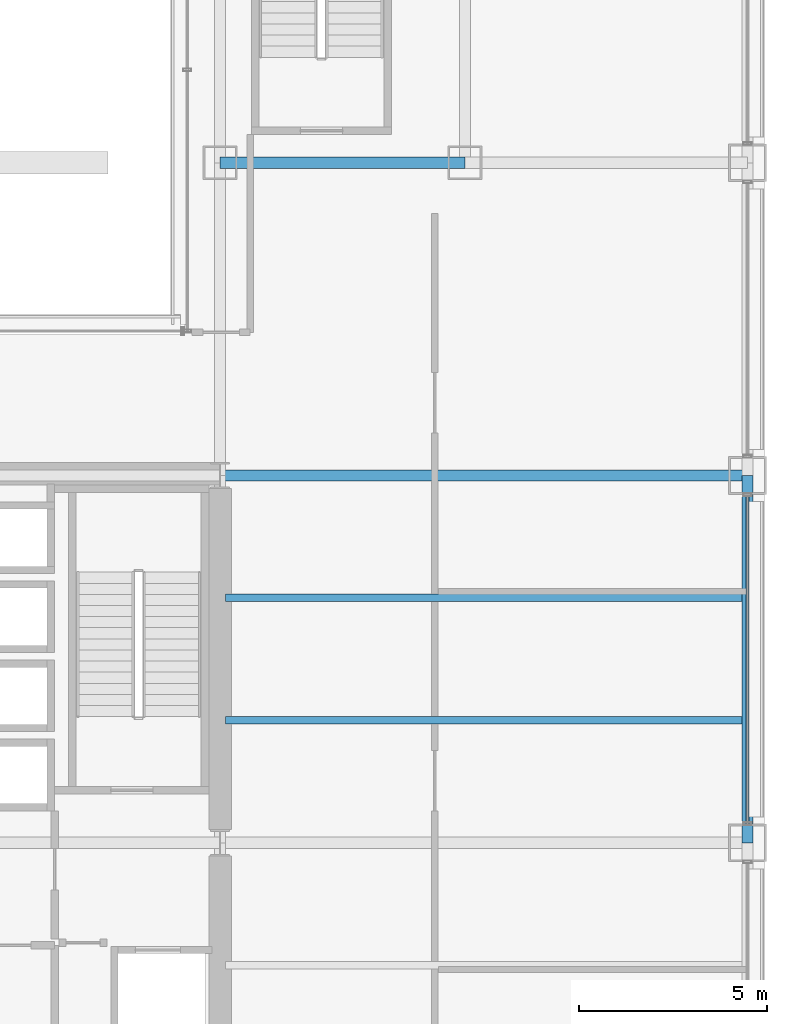
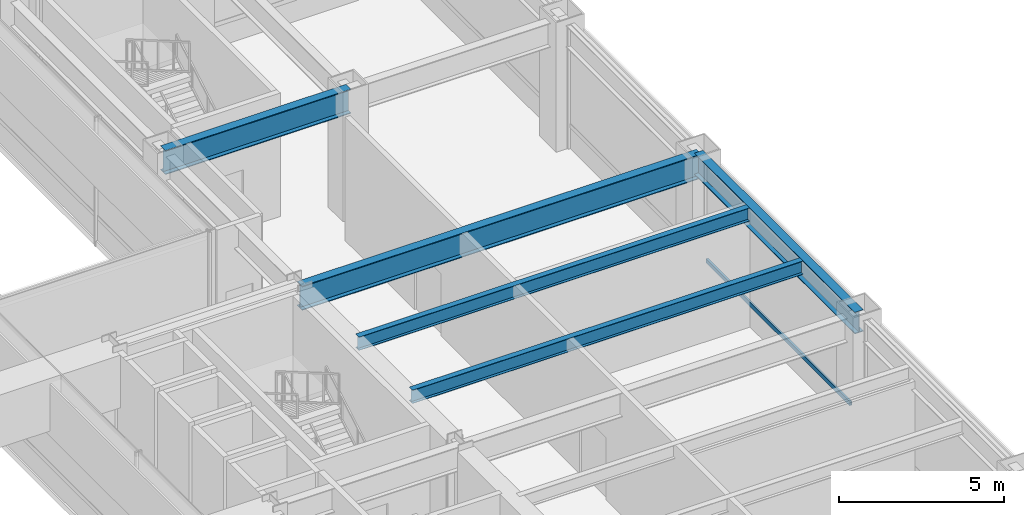
# One storey, part 24 of 42: 5 beams, 1 member, 1 element without a shape of its own.
"""IFC4 building model written with IfcOpenShell, lengths in metres."""

from ifc_helpers import new_model, si_unit, direction, frame, origin, origin_2d, place, context, subcontext, project, spatial, hollow_rectangle, i_section, extrude, material, layer, layer_set, material_profile, profile_set, type_object, element, aggregate, save


model = new_model("IFC4")

# Units and contexts
model_context = context("Model", 3, precision=1e-05, world=origin(), true_north=direction((0.0, 1.0)))
body_context = subcontext(model_context, "Body", "Model", "MODEL_VIEW")
ifc_project = project(units=[si_unit("LENGTHUNIT", "METRE"), si_unit("AREAUNIT", "SQUARE_METRE"), si_unit("VOLUMEUNIT", "CUBIC_METRE"), si_unit("PLANEANGLEUNIT", "RADIAN"), si_unit("MASSUNIT", "GRAM", prefix="KILO")], contexts=[model_context])

# Site, building, storey
site_placement = place(None, origin())
site = spatial("IfcSite", under=ifc_project, at=site_placement, CompositionType="ELEMENT")
building_placement = place(site_placement, origin())
building = spatial("IfcBuilding", under=site, at=building_placement, Name="Brelmoor Portico Tower", CompositionType="ELEMENT")
storey_placement = place(building_placement, frame((0.0, 0.0, 9.60009765625)))
storey = spatial("IfcBuildingStorey", under=building, at=storey_placement, Name="L02", CompositionType="ELEMENT", Elevation=9.60009765625)

# Beams
ifc_material_1 = material(Name="Steel Q355B", Category="steel")
ifc_material_profile_1 = material_profile(ifc_material_1, i_section(OverallWidth=0.199951171875, OverallDepth=0.5, WebThickness=0.010009765625, FlangeThickness=0.01611328125, at=origin_2d()), Name="HN 500x200x10x16")
ifc_profile_set_1 = profile_set([ifc_material_profile_1], Name="Steel Q355B")
beam_type_1 = type_object("IfcBeamType", Name="BM-JS-500", PredefinedType="JOIST", material=ifc_profile_set_1)
for number, where, z_axis, x_axis, name in (
    (1, (14.699951171875, 3.25, 4.329833984375), (1.0, 0.0, 0.0), (0.0, 1.0, 0.0), "L02 Secondary Wing Joist JS-E07"),
    (2, (14.699951171875, 6.5, 4.329833984375), (1.0, 0.0, 0.0), (0.0, 1.0, 0.0), "L02 Secondary Wing Joist JS-E08"),
):
    element("IfcBeam", number, at=place(storey_placement, frame(where, z_axis=z_axis, x_axis=x_axis)), inside=storey, type_object=beam_type_1, Name=name, PredefinedType="JOIST", context=body_context, shape_type="SweptSolid", body=[
        extrude(i_section(OverallWidth=0.199951171875, OverallDepth=0.5, WebThickness=0.010009765625, FlangeThickness=0.01611328125, at=origin_2d()), origin(), (0.0, 0.0, 1.0), 13.699951171875),
    ])
ifc_material_profile_2 = material_profile(ifc_material_1, i_section(OverallWidth=0.300048828125, OverallDepth=0.89990234375, WebThickness=0.01611328125, FlangeThickness=0.028076171875, at=origin_2d()), Name="HN 900x300x16x28")
ifc_profile_set_2 = profile_set([ifc_material_profile_2], Name="Steel Q355B")
beam_type_2 = type_object("IfcBeamType", Name="BM-PG-900", PredefinedType="BEAM", material=ifc_profile_set_2)
beam_1_placement = place(storey_placement, frame((14.550048828125, 9.75, 4.1298828125), z_axis=(1.0, 0.0, 0.0), x_axis=(0.0, 1.0, 0.0)))
element("IfcBeam", 3, at=beam_1_placement, inside=storey, type_object=beam_type_2, Name="L02 Primary Floor Girder PG-39", PredefinedType="BEAM", context=body_context, shape_type="SweptSolid", body=[
    extrude(i_section(OverallWidth=0.300048828125, OverallDepth=0.89990234375, WebThickness=0.01611328125, FlangeThickness=0.028076171875, at=origin_2d()), origin(), (0.0, 0.0, 1.0), 14.0),
])
beam_2_placement = place(storey_placement, frame((14.550048828125, 18.050048828125, 4.1298828125), z_axis=(1.0, 0.0, 0.0), x_axis=(0.0, 1.0, 0.0)))
element("IfcBeam", 4, at=beam_2_placement, inside=storey, type_object=beam_type_2, Name="L02 Primary Floor Girder PG-42", PredefinedType="BEAM", context=body_context, shape_type="SweptSolid", body=[
    extrude(i_section(OverallWidth=0.300048828125, OverallDepth=0.89990234375, WebThickness=0.01611328125, FlangeThickness=0.028076171875, at=origin_2d()), origin(), (0.0, 0.0, 1.0), 6.5),
])
ifc_material_profile_3 = material_profile(ifc_material_1, i_section(OverallWidth=0.300048828125, OverallDepth=0.800048828125, WebThickness=0.013916015625, FlangeThickness=0.02587890625, at=origin_2d()), Name="HN 800x300x14x26")
ifc_profile_set_3 = profile_set([ifc_material_profile_3], Name="Steel Q355B")
beam_type_3 = type_object("IfcBeamType", Name="BM-SP-800", PredefinedType="SPANDREL", material=ifc_profile_set_3)
beam_3_placement = place(storey_placement, frame((28.550048828125, 0.0, 4.179931640625), z_axis=(0.0, 1.0, 0.0), x_axis=(-1.0, 0.0, 0.0)))
element("IfcBeam", 5, at=beam_3_placement, inside=storey, type_object=beam_type_3, Name="L02 Perimeter Spandrel Beam SP-18", PredefinedType="SPANDREL", context=body_context, shape_type="SweptSolid", body=[
    extrude(i_section(OverallWidth=0.300048828125, OverallDepth=0.800048828125, WebThickness=0.013916015625, FlangeThickness=0.02587890625, at=origin_2d()), origin(), (0.0, 0.0, 1.0), 9.75),
])

# Curtain wall, member
ifc_material_2 = material(Name="Anodised Aluminium Alloy 6063-T6", Category="aluminium")
ifc_layer = layer(ifc_material_2, 0.179931640625)
ifc_layer_set = layer_set([ifc_layer], Name="Anodised Aluminium Alloy 6063-T6")
curtain_wall_type = type_object("IfcCurtainWallType", Name="CW-PODIUM-ARCH", PredefinedType="NOTDEFINED", material=ifc_layer_set)
curtain_wall_placement = place(storey_placement, origin())
curtain_wall = element("IfcCurtainWall", 6, at=curtain_wall_placement, inside=storey, type_object=curtain_wall_type, Name="L02 Curtain Wall CW-L02-06-4", PredefinedType="NOTDEFINED")
ifc_material_profile_4 = material_profile(ifc_material_2, hollow_rectangle(XDim=0.070068359375, YDim=0.159912109375, WallThickness=0.00390625, at=origin_2d()), Name="ALU TRANSOM 70x160")
ifc_profile_set_4 = profile_set([ifc_material_profile_4], Name="Anodised Aluminium Alloy 6063-T6")
member_type = type_object("IfcMemberType", Name="MB-CW-TRAN-160", PredefinedType="USERDEFINED", material=ifc_profile_set_4)
member_placement = place(storey_placement, frame((28.550048828125, 0.510009765625, 0.849853515625), z_axis=(0.0, 1.0, 0.0), x_axis=(-1.0, 0.0, 0.0)))
member = element("IfcMember", 7, at=member_placement, type_object=member_type, Name="CW-L02-06-4 Transom 1-00", ObjectType="TRANSOM", PredefinedType="USERDEFINED", context=body_context, shape_type="SweptSolid", body=[
    extrude(hollow_rectangle(XDim=0.070068359375, YDim=0.159912109375, WallThickness=0.00390625, at=origin_2d()), origin(), (0.0, 0.0, 1.0), 8.72998046875),
])
aggregate(curtain_wall, [member])

save(model, "model.ifc")
